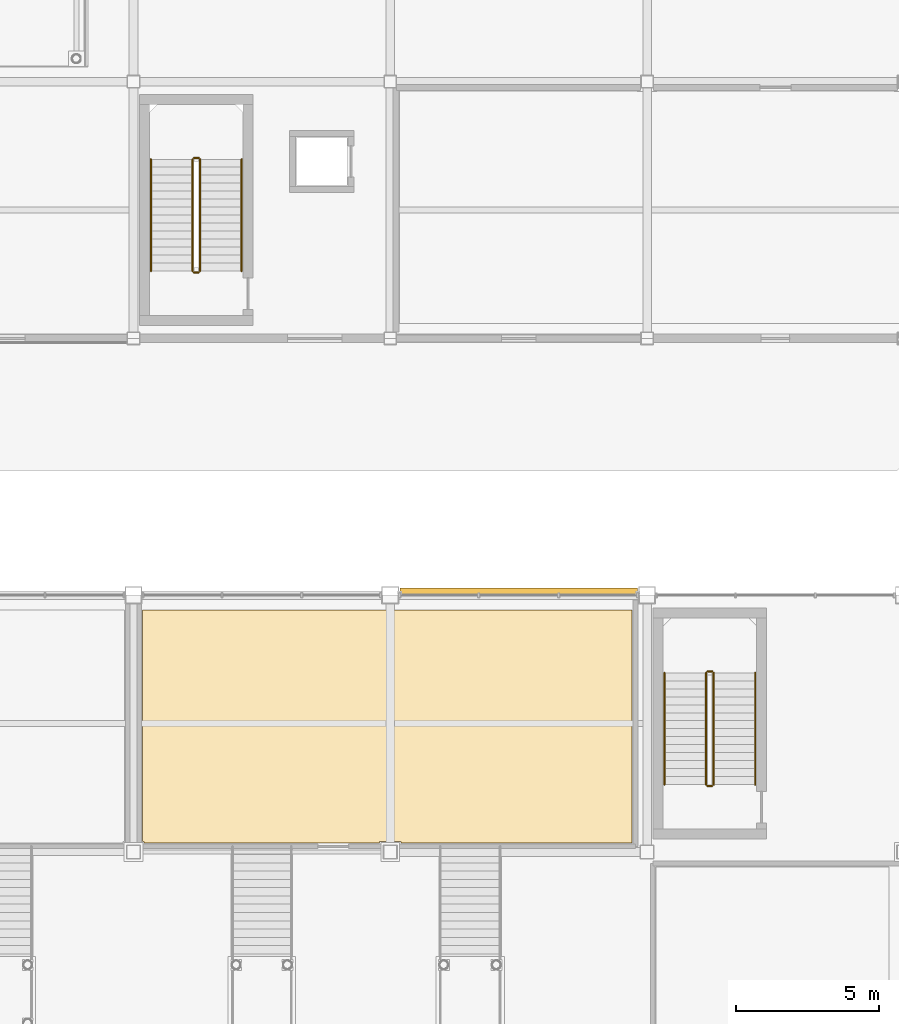
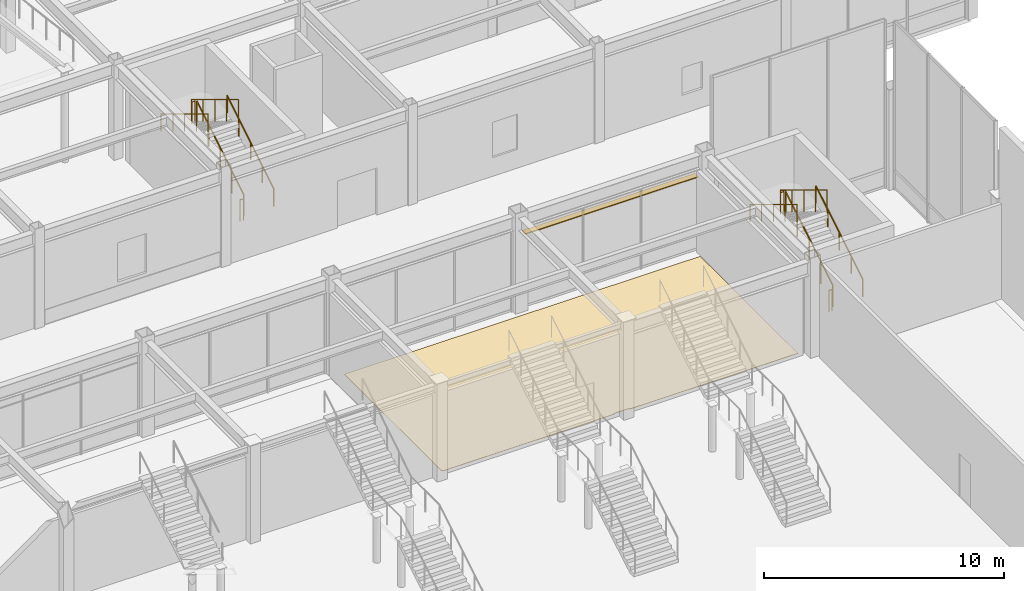
# One storey, part 114 of 123: 12 railings, 1 covering, 1 shading device.
"""IFC4 building model written with IfcOpenShell, lengths in metres."""

from ifc_helpers import new_model, si_unit, direction, frame, origin, origin_2d, place, context, subcontext, project, spatial, polyline, rectangle, circle, outline, extrude, material, layer, layer_set, material_profile, profile_set, type_object, element, save


model = new_model("IFC4")

# Units and contexts
model_context = context("Model", 3, precision=1e-05, world=origin(), true_north=direction((0.0, 1.0)))
body_context = subcontext(model_context, "Body", "Model", "MODEL_VIEW")
ifc_project = project(units=[si_unit("LENGTHUNIT", "METRE"), si_unit("AREAUNIT", "SQUARE_METRE"), si_unit("VOLUMEUNIT", "CUBIC_METRE"), si_unit("PLANEANGLEUNIT", "RADIAN"), si_unit("MASSUNIT", "GRAM", prefix="KILO")], contexts=[model_context])

# Site, building, storey
site_placement = place(None, origin())
site = spatial("IfcSite", under=ifc_project, at=site_placement, CompositionType="ELEMENT")
building_placement = place(site_placement, origin())
building = spatial("IfcBuilding", under=site, at=building_placement, Name="Suzunagisa Mobility Hub", CompositionType="ELEMENT")
storey_placement = place(building_placement, origin())
storey = spatial("IfcBuildingStorey", under=building, at=storey_placement, Name="L00", CompositionType="ELEMENT", Elevation=0.0)

# Railings
ifc_material_1 = material(Name="Stainless Steel SUS304", Category="metal")
railing_type_1 = type_object("IfcRailingType", Name="Interior Well Guardrail IGR-01", PredefinedType="GUARDRAIL", material=ifc_material_1)
railing_1_placement = place(storey_placement, frame((110.330078125, 64.360107421875, 0.169921875)))
element("IfcRailing", 1, at=railing_1_placement, inside=storey, type_object=railing_type_1, Name="L00 ST-04 stair guard 1", PredefinedType="GUARDRAIL", context=body_context, shape_type="SweptSolid", body=[
    extrude(circle(Radius=0.02392578125, at=origin_2d()), frame((0.0, 0.0, 1.09619140625), z_axis=(0.0, 0.854770645689, 0.519005918337), x_axis=(-1.0, 0.0, 0.0)), (0.0, 0.0, 1.0), 4.5859375),
    extrude(circle(Radius=0.02099609375, at=origin_2d()), origin(), (0.0, 0.0, 1.0), 1.072021484375),
    extrude(circle(Radius=0.02099609375, at=origin_2d()), frame((0.0, 0.97998046875, 0.594970703125)), (0.0, 0.0, 1.0), 1.072021484375),
    extrude(circle(Radius=0.02099609375, at=origin_2d()), frame((0.0, 1.9599609375, 1.18994140625)), (0.0, 0.0, 1.0), 1.072021484375),
    extrude(circle(Radius=0.02099609375, at=origin_2d()), frame((0.0, 2.93994140625, 1.78515625)), (0.0, 0.0, 1.0), 1.072021484375),
    extrude(circle(Radius=0.02099609375, at=origin_2d()), frame((0.0, 3.919921875, 2.380126953125)), (0.0, 0.0, 1.0), 1.072021484375),
])
railing_2_placement = place(storey_placement, frame((110.280029296875, 68.330078125, 2.550048828125)))
element("IfcRailing", 2, at=railing_2_placement, inside=storey, type_object=railing_type_1, Name="L00 ST-04 stair guard 2", PredefinedType="GUARDRAIL", context=body_context, shape_type="SweptSolid", body=[
    extrude(circle(Radius=0.02392578125, at=origin_2d()), frame((0.0, 0.0, 1.09619140625), z_axis=(-1.0, 0.0, 0.0), x_axis=(0.0, -1.0, 0.0)), (0.0, 0.0, 1.0), 0.159912109375),
    extrude(circle(Radius=0.02099609375, at=origin_2d()), origin(), (0.0, 0.0, 1.0), 1.072021484375),
    extrude(circle(Radius=0.02099609375, at=origin_2d()), frame((-0.159912109375, 0.0, 0.0)), (0.0, 0.0, 1.0), 1.072021484375),
])
railing_3_placement = place(storey_placement, frame((110.070068359375, 68.280029296875, 2.719970703125)))
element("IfcRailing", 3, at=railing_3_placement, inside=storey, type_object=railing_type_1, Name="L00 ST-04 stair guard 3", PredefinedType="GUARDRAIL", context=body_context, shape_type="SweptSolid", body=[
    extrude(circle(Radius=0.02392578125, at=origin_2d()), frame((0.0, 0.0, 1.09619140625), z_axis=(0.0, -0.854770645689, 0.519005918337), x_axis=(1.0, 0.0, 0.0)), (0.0, 0.0, 1.0), 4.5859375),
    extrude(circle(Radius=0.02099609375, at=origin_2d()), origin(), (0.0, 0.0, 1.0), 1.072021484375),
    extrude(circle(Radius=0.02099609375, at=origin_2d()), frame((0.0, -0.97998046875, 0.594970703125)), (0.0, 0.0, 1.0), 1.072021484375),
    extrude(circle(Radius=0.02099609375, at=origin_2d()), frame((0.0, -1.9599609375, 1.18994140625)), (0.0, 0.0, 1.0), 1.072021484375),
    extrude(circle(Radius=0.02099609375, at=origin_2d()), frame((0.0, -2.93994140625, 1.78515625)), (0.0, 0.0, 1.0), 1.072021484375),
    extrude(circle(Radius=0.02099609375, at=origin_2d()), frame((0.0, -3.919921875, 2.380126953125)), (0.0, 0.0, 1.0), 1.072021484375),
])
railing_4_placement = place(storey_placement, frame((110.280029296875, 64.31005859375, 0.0)))
element("IfcRailing", 4, at=railing_4_placement, inside=storey, type_object=railing_type_1, Name="L00 ST-04 stair guard 4", PredefinedType="GUARDRAIL", context=body_context, shape_type="SweptSolid", body=[
    extrude(circle(Radius=0.02392578125, at=origin_2d()), frame((0.0, 0.0, 1.09619140625), z_axis=(-1.0, 0.0, 0.0), x_axis=(0.0, -1.0, 0.0)), (0.0, 0.0, 1.0), 0.159912109375),
    extrude(circle(Radius=0.02099609375, at=origin_2d()), origin(), (0.0, 0.0, 1.0), 1.072021484375),
    extrude(circle(Radius=0.02099609375, at=origin_2d()), frame((-0.159912109375, 0.0, 0.0)), (0.0, 0.0, 1.0), 1.072021484375),
])
railing_5_placement = place(storey_placement, frame((92.330078125, 82.360107421875, 0.169921875)))
element("IfcRailing", 5, at=railing_5_placement, inside=storey, type_object=railing_type_1, Name="L00 ST-08 stair guard 1", PredefinedType="GUARDRAIL", context=body_context, shape_type="SweptSolid", body=[
    extrude(circle(Radius=0.02392578125, at=origin_2d()), frame((0.0, 0.0, 1.09619140625), z_axis=(0.0, 0.854770645689, 0.519005918337), x_axis=(-1.0, 0.0, 0.0)), (0.0, 0.0, 1.0), 4.5859375),
    extrude(circle(Radius=0.02099609375, at=origin_2d()), origin(), (0.0, 0.0, 1.0), 1.072021484375),
    extrude(circle(Radius=0.02099609375, at=origin_2d()), frame((0.0, 0.97998046875, 0.594970703125)), (0.0, 0.0, 1.0), 1.072021484375),
    extrude(circle(Radius=0.02099609375, at=origin_2d()), frame((0.0, 1.9599609375, 1.18994140625)), (0.0, 0.0, 1.0), 1.072021484375),
    extrude(circle(Radius=0.02099609375, at=origin_2d()), frame((0.0, 2.93994140625, 1.78515625)), (0.0, 0.0, 1.0), 1.072021484375),
    extrude(circle(Radius=0.02099609375, at=origin_2d()), frame((0.0, 3.919921875, 2.380126953125)), (0.0, 0.0, 1.0), 1.072021484375),
])
railing_6_placement = place(storey_placement, frame((92.280029296875, 86.330078125, 2.550048828125)))
element("IfcRailing", 6, at=railing_6_placement, inside=storey, type_object=railing_type_1, Name="L00 ST-08 stair guard 2", PredefinedType="GUARDRAIL", context=body_context, shape_type="SweptSolid", body=[
    extrude(circle(Radius=0.02392578125, at=origin_2d()), frame((0.0, 0.0, 1.09619140625), z_axis=(-1.0, 0.0, 0.0), x_axis=(0.0, -1.0, 0.0)), (0.0, 0.0, 1.0), 0.159912109375),
    extrude(circle(Radius=0.02099609375, at=origin_2d()), origin(), (0.0, 0.0, 1.0), 1.072021484375),
    extrude(circle(Radius=0.02099609375, at=origin_2d()), frame((-0.159912109375, 0.0, 0.0)), (0.0, 0.0, 1.0), 1.072021484375),
])
railing_7_placement = place(storey_placement, frame((92.070068359375, 86.280029296875, 2.719970703125)))
element("IfcRailing", 7, at=railing_7_placement, inside=storey, type_object=railing_type_1, Name="L00 ST-08 stair guard 3", PredefinedType="GUARDRAIL", context=body_context, shape_type="SweptSolid", body=[
    extrude(circle(Radius=0.02392578125, at=origin_2d()), frame((0.0, 0.0, 1.09619140625), z_axis=(0.0, -0.854770645689, 0.519005918337), x_axis=(1.0, 0.0, 0.0)), (0.0, 0.0, 1.0), 4.5859375),
    extrude(circle(Radius=0.02099609375, at=origin_2d()), origin(), (0.0, 0.0, 1.0), 1.072021484375),
    extrude(circle(Radius=0.02099609375, at=origin_2d()), frame((0.0, -0.97998046875, 0.594970703125)), (0.0, 0.0, 1.0), 1.072021484375),
    extrude(circle(Radius=0.02099609375, at=origin_2d()), frame((0.0, -1.9599609375, 1.18994140625)), (0.0, 0.0, 1.0), 1.072021484375),
    extrude(circle(Radius=0.02099609375, at=origin_2d()), frame((0.0, -2.93994140625, 1.78515625)), (0.0, 0.0, 1.0), 1.072021484375),
    extrude(circle(Radius=0.02099609375, at=origin_2d()), frame((0.0, -3.919921875, 2.380126953125)), (0.0, 0.0, 1.0), 1.072021484375),
])
railing_8_placement = place(storey_placement, frame((92.280029296875, 82.31005859375, 0.0)))
element("IfcRailing", 8, at=railing_8_placement, inside=storey, type_object=railing_type_1, Name="L00 ST-08 stair guard 4", PredefinedType="GUARDRAIL", context=body_context, shape_type="SweptSolid", body=[
    extrude(circle(Radius=0.02392578125, at=origin_2d()), frame((0.0, 0.0, 1.09619140625), z_axis=(-1.0, 0.0, 0.0), x_axis=(0.0, -1.0, 0.0)), (0.0, 0.0, 1.0), 0.159912109375),
    extrude(circle(Radius=0.02099609375, at=origin_2d()), origin(), (0.0, 0.0, 1.0), 1.072021484375),
    extrude(circle(Radius=0.02099609375, at=origin_2d()), frame((-0.159912109375, 0.0, 0.0)), (0.0, 0.0, 1.0), 1.072021484375),
])

# Covering
ifc_material_2 = material(Name="Polished Aggregate Terrazzo Finish")
ifc_layer = layer(ifc_material_2, 0.02001953125)
ifc_layer_set = layer_set([ifc_layer], Name="Polished Aggregate Terrazzo Finish")
covering_type = type_object("IfcCoveringType", Name="Polished Terrazzo Heavy-Traffic Flooring FLR-01", PredefinedType="FLOORING", material=ifc_layer_set)
covering_placement = place(storey_placement, origin())
element("IfcCovering", 9, at=covering_placement, inside=storey, type_object=covering_type, Name="L00 Bus Berths Dispatch and Station Operations Office Terrazzo Flooring", PredefinedType="FLOORING", context=body_context, shape_type="SweptSolid", body=[
    extrude(outline(polyline([(90.320068359375, 62.3701171875), (90.320068359375, 70.47998046875), (107.47998046875, 70.47998046875), (107.47998046875, 62.320068359375), (99.3701171875, 62.320068359375), (99.3701171875, 62.3701171875), (98.6298828125, 62.3701171875), (98.6298828125, 62.320068359375), (90.3701171875, 62.320068359375), (90.3701171875, 62.3701171875), (90.320068359375, 62.3701171875)])), origin(), (0.0, 0.0, 1.0), 0.02001953125),
])

# Shading device
ifc_material_3 = material(Name="Fluoropolymer-Coated Extruded Aluminum 6063-T5", Category="aluminium")
ifc_material_profile = material_profile(ifc_material_3, rectangle(XDim=0.280029296875, YDim=0.044921875, at=origin_2d()), Name="FIN-280x45")
ifc_profile_set = profile_set([ifc_material_profile], Name="Fluoropolymer-Coated Extruded Aluminum 6063-T5")
shading_device_type = type_object("IfcShadingDeviceType", Name="Streamline Aluminum Sunshade SF-03 FIN-280x45", PredefinedType="USERDEFINED", material=ifc_profile_set)
shading_device_placement = place(storey_placement, frame((107.66748046875, 71.107421875, 3.699951171875), z_axis=(-1.0, 0.0, 0.0), x_axis=(0.0, -1.0, 0.0)))
element("IfcShadingDevice", 10, at=shading_device_placement, inside=storey, type_object=shading_device_type, Name="L00 Streamline Speed-Rail Sunshade Fin SF-9", ObjectType="SUNSHADE FIN", PredefinedType="USERDEFINED", context=body_context, shape_type="SweptSolid", body=[
    extrude(rectangle(XDim=0.280029296875, YDim=0.044921875, at=origin_2d()), origin(), (0.0, 0.0, 1.0), 8.3349609375),
])

# Railings
railing_type_2 = type_object("IfcRailingType", Name="Tubular Stainless Stair Handrail IHR-01", PredefinedType="HANDRAIL", material=ifc_material_1)
railing_9_placement = place(storey_placement, frame((111.7900390625, 64.360107421875, 0.169921875)))
element("IfcRailing", 11, at=railing_9_placement, inside=storey, type_object=railing_type_2, Name="L00 ST-04 stair handrail 1", PredefinedType="HANDRAIL", context=body_context, shape_type="SweptSolid", body=[
    extrude(circle(Radius=0.02392578125, at=origin_2d()), frame((0.0, 0.0, 0.8759765625), z_axis=(0.0, 0.854770645689, 0.519005918337), x_axis=(-1.0, 0.0, 0.0)), (0.0, 0.0, 1.0), 4.5859375),
    extrude(circle(Radius=0.02099609375, at=origin_2d()), origin(), (0.0, 0.0, 1.0), 0.851806640625),
    extrude(circle(Radius=0.02099609375, at=origin_2d()), frame((0.0, 0.97998046875, 0.594970703125)), (0.0, 0.0, 1.0), 0.851806640625),
    extrude(circle(Radius=0.02099609375, at=origin_2d()), frame((0.0, 1.9599609375, 1.18994140625)), (0.0, 0.0, 1.0), 0.851806640625),
    extrude(circle(Radius=0.02099609375, at=origin_2d()), frame((0.0, 2.93994140625, 1.78515625)), (0.0, 0.0, 1.0), 0.851806640625),
    extrude(circle(Radius=0.02099609375, at=origin_2d()), frame((0.0, 3.919921875, 2.380126953125)), (0.0, 0.0, 1.0), 0.851806640625),
])
railing_10_placement = place(storey_placement, frame((108.610107421875, 68.280029296875, 2.719970703125)))
element("IfcRailing", 12, at=railing_10_placement, inside=storey, type_object=railing_type_2, Name="L00 ST-04 stair handrail 2", PredefinedType="HANDRAIL", context=body_context, shape_type="SweptSolid", body=[
    extrude(circle(Radius=0.02392578125, at=origin_2d()), frame((0.0, 0.0, 0.8759765625), z_axis=(0.0, -0.854770645689, 0.519005918337), x_axis=(1.0, 0.0, 0.0)), (0.0, 0.0, 1.0), 4.5859375),
    extrude(circle(Radius=0.02099609375, at=origin_2d()), origin(), (0.0, 0.0, 1.0), 0.851806640625),
    extrude(circle(Radius=0.02099609375, at=origin_2d()), frame((0.0, -0.97998046875, 0.594970703125)), (0.0, 0.0, 1.0), 0.851806640625),
    extrude(circle(Radius=0.02099609375, at=origin_2d()), frame((0.0, -1.9599609375, 1.18994140625)), (0.0, 0.0, 1.0), 0.851806640625),
    extrude(circle(Radius=0.02099609375, at=origin_2d()), frame((0.0, -2.93994140625, 1.78515625)), (0.0, 0.0, 1.0), 0.851806640625),
    extrude(circle(Radius=0.02099609375, at=origin_2d()), frame((0.0, -3.919921875, 2.380126953125)), (0.0, 0.0, 1.0), 0.851806640625),
])
railing_11_placement = place(storey_placement, frame((93.7900390625, 82.360107421875, 0.169921875)))
element("IfcRailing", 13, at=railing_11_placement, inside=storey, type_object=railing_type_2, Name="L00 ST-08 stair handrail 1", PredefinedType="HANDRAIL", context=body_context, shape_type="SweptSolid", body=[
    extrude(circle(Radius=0.02392578125, at=origin_2d()), frame((0.0, 0.0, 0.8759765625), z_axis=(0.0, 0.854770645689, 0.519005918337), x_axis=(-1.0, 0.0, 0.0)), (0.0, 0.0, 1.0), 4.5859375),
    extrude(circle(Radius=0.02099609375, at=origin_2d()), origin(), (0.0, 0.0, 1.0), 0.851806640625),
    extrude(circle(Radius=0.02099609375, at=origin_2d()), frame((0.0, 0.97998046875, 0.594970703125)), (0.0, 0.0, 1.0), 0.851806640625),
    extrude(circle(Radius=0.02099609375, at=origin_2d()), frame((0.0, 1.9599609375, 1.18994140625)), (0.0, 0.0, 1.0), 0.851806640625),
    extrude(circle(Radius=0.02099609375, at=origin_2d()), frame((0.0, 2.93994140625, 1.78515625)), (0.0, 0.0, 1.0), 0.851806640625),
    extrude(circle(Radius=0.02099609375, at=origin_2d()), frame((0.0, 3.919921875, 2.380126953125)), (0.0, 0.0, 1.0), 0.851806640625),
])
railing_12_placement = place(storey_placement, frame((90.610107421875, 86.280029296875, 2.719970703125)))
element("IfcRailing", 14, at=railing_12_placement, inside=storey, type_object=railing_type_2, Name="L00 ST-08 stair handrail 2", PredefinedType="HANDRAIL", context=body_context, shape_type="SweptSolid", body=[
    extrude(circle(Radius=0.02392578125, at=origin_2d()), frame((0.0, 0.0, 0.8759765625), z_axis=(0.0, -0.854770645689, 0.519005918337), x_axis=(1.0, 0.0, 0.0)), (0.0, 0.0, 1.0), 4.5859375),
    extrude(circle(Radius=0.02099609375, at=origin_2d()), origin(), (0.0, 0.0, 1.0), 0.851806640625),
    extrude(circle(Radius=0.02099609375, at=origin_2d()), frame((0.0, -0.97998046875, 0.594970703125)), (0.0, 0.0, 1.0), 0.851806640625),
    extrude(circle(Radius=0.02099609375, at=origin_2d()), frame((0.0, -1.9599609375, 1.18994140625)), (0.0, 0.0, 1.0), 0.851806640625),
    extrude(circle(Radius=0.02099609375, at=origin_2d()), frame((0.0, -2.93994140625, 1.78515625)), (0.0, 0.0, 1.0), 0.851806640625),
    extrude(circle(Radius=0.02099609375, at=origin_2d()), frame((0.0, -3.919921875, 2.380126953125)), (0.0, 0.0, 1.0), 0.851806640625),
])

save(model, "model.ifc")
